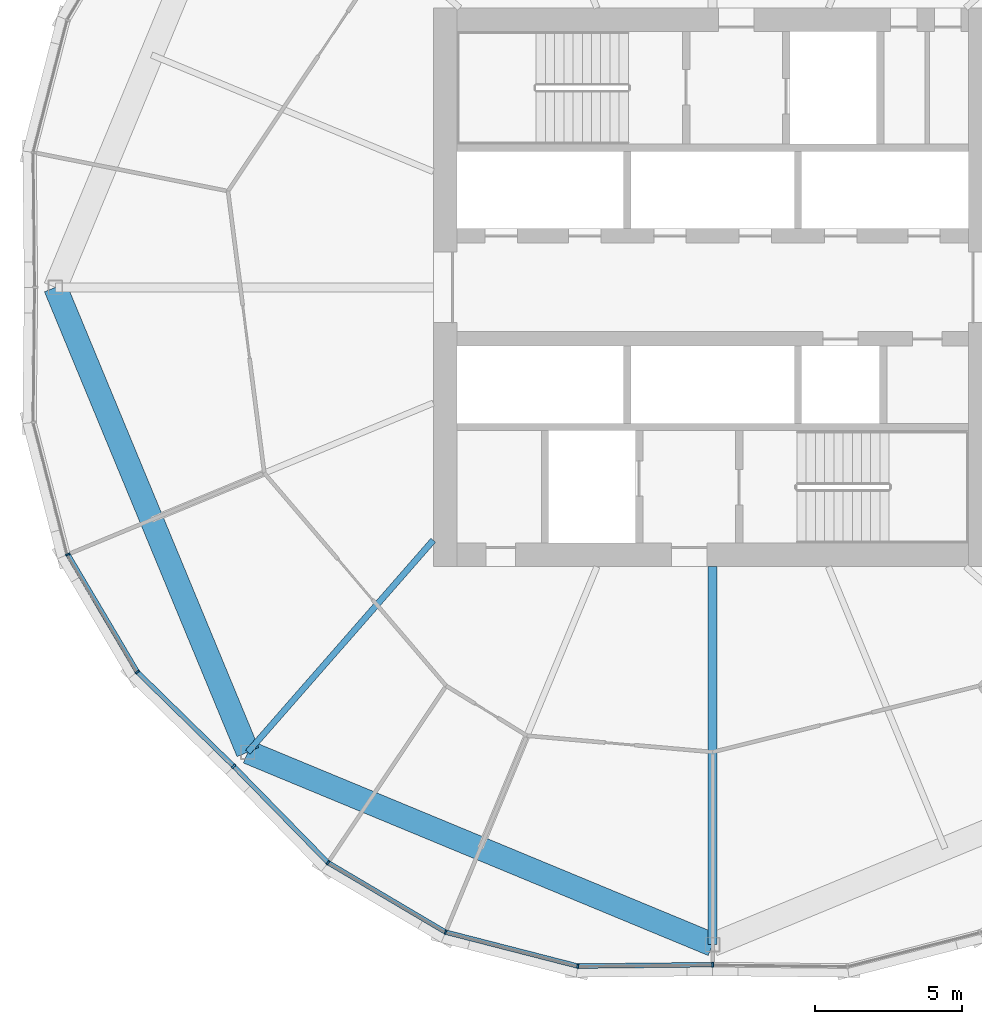
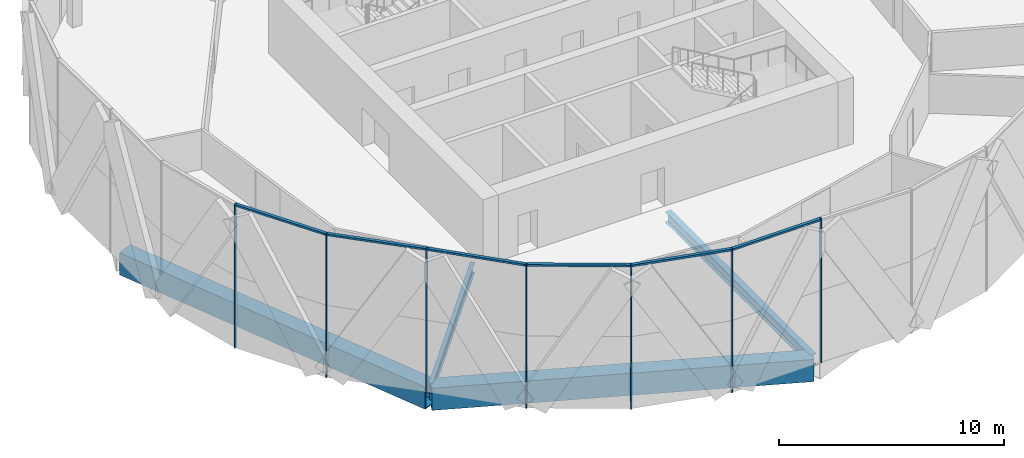
# One storey, part 3 of 27: 13 members, 4 beams, 2 elements without a shape of their own.
"""IFC4 building model written with IfcOpenShell, lengths in metres."""

from ifc_helpers import new_model, si_unit, direction, frame, origin, origin_2d, place, context, subcontext, project, spatial, rectangle, hollow_rectangle, i_section, extrude, material, material_profile, profile_set, type_object, element, aggregate, save


model = new_model("IFC4")

# Units and contexts
model_context = context("Model", 3, precision=1e-05, world=origin(), true_north=direction((0.0, 1.0)))
body_context = subcontext(model_context, "Body", "Model", "MODEL_VIEW")
ifc_project = project(units=[si_unit("LENGTHUNIT", "METRE"), si_unit("AREAUNIT", "SQUARE_METRE"), si_unit("VOLUMEUNIT", "CUBIC_METRE"), si_unit("PLANEANGLEUNIT", "RADIAN"), si_unit("MASSUNIT", "GRAM", prefix="KILO")], contexts=[model_context])

# Site, building, storey
site_placement = place(None, origin())
site = spatial("IfcSite", under=ifc_project, at=site_placement, CompositionType="ELEMENT")
building_placement = place(site_placement, origin())
building = spatial("IfcBuilding", under=site, at=building_placement, Name="Ogive Gate Towers", CompositionType="ELEMENT")
storey_placement = place(building_placement, frame((0.0, 0.0, 123.0)))
storey = spatial("IfcBuildingStorey", under=building, at=storey_placement, Name="L29", CompositionType="ELEMENT", Elevation=123.0)

# Beams
ifc_material_1 = material(Name="Steel SM460", Category="steel")
ifc_material_profile_1 = material_profile(ifc_material_1, hollow_rectangle(XDim=0.800048828125, YDim=1.199951171875, WallThickness=0.050048828125, at=origin_2d()), Name="BX 1200x800x50")
ifc_profile_set_1 = profile_set([ifc_material_profile_1], Name="Steel SM460")
beam_type_1 = type_object("IfcBeamType", Name="Edge girder BX 1200x800x50", PredefinedType="BEAM", material=ifc_profile_set_1)
for number, where, z_axis, x_axis, name in (
    (1, (-51.803955078125, -15.803955078125, -0.89990234375), (0.923880978344, -0.382679941797, 0.0), (0.382679941797, 0.923880978344, 0.0), "T1/L29/SBM017"),
    (2, (-58.35009765625, 0.0, -0.89990234375), (0.382679941797, -0.923880978344, 0.0), (0.923880978344, 0.382679941797, 0.0), "T1/L29/SBM024"),
):
    element("IfcBeam", number, at=place(storey_placement, frame(where, z_axis=z_axis, x_axis=x_axis)), inside=storey, type_object=beam_type_1, Name=name, PredefinedType="BEAM", context=body_context, shape_type="SweptSolid", body=[
        extrude(hollow_rectangle(XDim=0.800048828125, YDim=1.199951171875, WallThickness=0.050048828125, at=origin_2d()), origin(), (0.0, 0.0, 1.0), 17.10595703125),
    ])
ifc_material_2 = material(Name="Steel SM355", Category="steel")
ifc_material_profile_2 = material_profile(ifc_material_2, i_section(OverallWidth=0.300048828125, OverallDepth=0.590087890625, WebThickness=0.012939453125, FlangeThickness=0.02490234375, FilletRadius=0.027099609375, at=origin_2d()), Name="HE 600 A")
ifc_profile_set_2 = profile_set([ifc_material_profile_2], Name="Steel SM355")
beam_type_2 = type_object("IfcBeamType", Name="Radial floor beam HE 600 A", PredefinedType="BEAM", material=ifc_profile_set_2)
beam_1_placement = place(storey_placement, frame((-36.0, -9.5, -0.594970703125), z_axis=(0.0, -1.0, 0.0), x_axis=(1.0, 0.0, 0.0)))
element("IfcBeam", 3, at=beam_1_placement, inside=storey, type_object=beam_type_2, Name="T1/L29/SBM003", PredefinedType="BEAM", context=body_context, shape_type="SweptSolid", body=[
    extrude(i_section(OverallWidth=0.300048828125, OverallDepth=0.590087890625, WebThickness=0.012939453125, FlangeThickness=0.02490234375, FilletRadius=0.027099609375, at=origin_2d()), origin(), (0.0, 0.0, 1.0), 12.85009765625),
])
ifc_material_profile_3 = material_profile(ifc_material_2, i_section(OverallWidth=0.2099609375, OverallDepth=0.550048828125, WebThickness=0.010986328125, FlangeThickness=0.01708984375, FilletRadius=0.02392578125, at=origin_2d()), Name="IPE 550")
ifc_profile_set_3 = profile_set([ifc_material_profile_3], Name="Steel SM355")
beam_type_3 = type_object("IfcBeamType", Name="Radial floor beam IPE 550", PredefinedType="BEAM", material=ifc_profile_set_3)
beam_2_placement = place(storey_placement, frame((-45.5, -8.60009765625, -0.574951171875), z_axis=(-0.658538913457, -0.752546675937, 0.0), x_axis=(0.752546675937, -0.658538913457, 0.0)))
element("IfcBeam", 4, at=beam_2_placement, inside=storey, type_object=beam_type_3, Name="T1/L29/SBM001", PredefinedType="BEAM", context=body_context, shape_type="SweptSolid", body=[
    extrude(i_section(OverallWidth=0.2099609375, OverallDepth=0.550048828125, WebThickness=0.010986328125, FlangeThickness=0.01708984375, FilletRadius=0.02392578125, at=origin_2d()), origin(), (0.0, 0.0, 1.0), 9.57275390625),
])

# Curtain wall, members
ifc_material_3 = material(Name="Pale metal aluminium", Category="aluminium")
curtain_wall_type = type_object("IfcCurtainWallType", Name="Tower unitised wall, low zone", PredefinedType="NOTDEFINED", material=ifc_material_3)
curtain_wall_1_placement = place(storey_placement, origin())
curtain_wall_1 = element("IfcCurtainWall", 5, at=curtain_wall_1_placement, inside=storey, type_object=curtain_wall_type, Name="CW1 T1 ECW05", PredefinedType="NOTDEFINED")
ifc_material_profile_4 = material_profile(ifc_material_3, rectangle(XDim=0.159912109375, YDim=0.06005859375, at=origin_2d()), Name="60 x 160 aluminium box")
ifc_profile_set_4 = profile_set([ifc_material_profile_4], Name="Pale metal aluminium")
member_type_1 = type_object("IfcMemberType", Name="Tower unitised wall, low zone mullion 60 x 160", PredefinedType="MULLION", material=ifc_profile_set_4)
member_1_placement = place(storey_placement, frame((-57.924560546875, -9.081298828125, -0.300048828125), z_axis=(0.0, 0.0, 1.0), x_axis=(-0.923879532511, -0.382683432365, 0.0)))
member_1 = element("IfcMember", 6, at=member_1_placement, type_object=member_type_1, Name="CW1 mullion", PredefinedType="MULLION", context=body_context, shape_type="SweptSolid", body=[
    extrude(rectangle(XDim=0.159912109375, YDim=0.06005859375, at=origin_2d()), origin(), (0.0, 0.0, 1.0), 7.800048828125),
])
member_2_placement = place(storey_placement, frame((-55.5615234375, -13.078125, -0.300048828125), z_axis=(0.0, 0.0, 1.0), x_axis=(-0.786859630935, -0.617132012785, 0.0)))
member_2 = element("IfcMember", 7, at=member_2_placement, type_object=member_type_1, Name="CW1 mullion", PredefinedType="MULLION", context=body_context, shape_type="SweptSolid", body=[
    extrude(rectangle(XDim=0.159912109375, YDim=0.06005859375, at=origin_2d()), origin(), (0.0, 0.0, 1.0), 7.800048828125),
])
member_3_placement = place(storey_placement, frame((-52.284912109375, -16.284423828125, -0.300048828125), z_axis=(0.0, 0.0, 1.0), x_axis=(-0.699426373935, -0.714704657494, 0.0)))
member_3 = element("IfcMember", 8, at=member_3_placement, type_object=member_type_1, Name="CW1 mullion", PredefinedType="MULLION", context=body_context, shape_type="SweptSolid", body=[
    extrude(rectangle(XDim=0.159912109375, YDim=0.06005859375, at=origin_2d()), origin(), (0.0, 0.0, 1.0), 7.800048828125),
])

curtain_wall_2_placement = place(storey_placement, origin())
curtain_wall_2 = element("IfcCurtainWall", 9, at=curtain_wall_2_placement, inside=storey, type_object=curtain_wall_type, Name="CW1 T1 ECW06", PredefinedType="NOTDEFINED")
member_4_placement = place(storey_placement, frame((-49.078125, -19.5615234375, -0.300048828125), z_axis=(0.0, 0.0, 1.0), x_axis=(-0.617132012785, -0.786859630935, 0.0)))
member_4 = element("IfcMember", 10, at=member_4_placement, type_object=member_type_1, Name="CW1 mullion", PredefinedType="MULLION", context=body_context, shape_type="SweptSolid", body=[
    extrude(rectangle(XDim=0.159912109375, YDim=0.06005859375, at=origin_2d()), origin(), (0.0, 0.0, 1.0), 7.800048828125),
])
member_5_placement = place(storey_placement, frame((-45.081298828125, -21.924560546875, -0.300048828125), z_axis=(0.0, 0.0, 1.0), x_axis=(-0.382683432365, -0.923879532511, 0.0)))
member_5 = element("IfcMember", 11, at=member_5_placement, type_object=member_type_1, Name="CW1 mullion", PredefinedType="MULLION", context=body_context, shape_type="SweptSolid", body=[
    extrude(rectangle(XDim=0.159912109375, YDim=0.06005859375, at=origin_2d()), origin(), (0.0, 0.0, 1.0), 7.800048828125),
])
member_6_placement = place(storey_placement, frame((-40.584716796875, -23.07958984375, -0.300048828125), z_axis=(0.0, 0.0, 1.0), x_axis=(-0.12003287687, -0.992769917186, 0.0)))
member_6 = element("IfcMember", 12, at=member_6_placement, type_object=member_type_1, Name="CW1 mullion", PredefinedType="MULLION", context=body_context, shape_type="SweptSolid", body=[
    extrude(rectangle(XDim=0.159912109375, YDim=0.06005859375, at=origin_2d()), origin(), (0.0, 0.0, 1.0), 7.800048828125),
])
member_7_placement = place(storey_placement, frame((-36.000244140625, -23.030029296875, -0.300048828125), z_axis=(0.0, 0.0, 1.0), x_axis=(0.010820830182, -0.999941453103, 0.0)))
member_7 = element("IfcMember", 13, at=member_7_placement, type_object=member_type_1, Name="CW1 mullion", PredefinedType="MULLION", context=body_context, shape_type="SweptSolid", body=[
    extrude(rectangle(XDim=0.159912109375, YDim=0.06005859375, at=origin_2d()), origin(), (0.0, 0.0, 1.0), 7.800048828125),
])

# Member
ifc_material_profile_5 = material_profile(ifc_material_3, rectangle(XDim=0.159912109375, YDim=0.10009765625, at=origin_2d()), Name="100 x 160 aluminium box")
ifc_profile_set_5 = profile_set([ifc_material_profile_5], Name="Pale metal aluminium")
member_type_2 = type_object("IfcMemberType", Name="Tower unitised wall, low zone transom 100 x 160", PredefinedType="USERDEFINED", material=ifc_profile_set_5)
member_8_placement = place(storey_placement, frame((-57.91064453125, -9.104736328125, 7.449951171875), z_axis=(0.508937241456, -0.860803627002, 0.0), x_axis=(0.860803627002, 0.508937241456, 0.0)))
member_8 = element("IfcMember", 14, at=member_8_placement, type_object=member_type_2, Name="CW1 transom", ObjectType="TRANSOM", PredefinedType="USERDEFINED", context=body_context, shape_type="SweptSolid", body=[
    extrude(rectangle(XDim=0.159912109375, YDim=0.10009765625, at=origin_2d()), origin(), (0.0, 0.0, 1.0), 4.58837890625),
])

member_9_placement = place(storey_placement, frame((-55.5419921875, -13.09716796875, 7.449951171875), z_axis=(0.714723254105, -0.699407370594, 0.0), x_axis=(0.699407370594, 0.714723254105, 0.0)))
member_9 = element("IfcMember", 15, at=member_9_placement, type_object=member_type_2, Name="CW1 transom", ObjectType="TRANSOM", PredefinedType="USERDEFINED", context=body_context, shape_type="SweptSolid", body=[
    extrude(rectangle(XDim=0.159912109375, YDim=0.10009765625, at=origin_2d()), origin(), (0.0, 0.0, 1.0), 4.527099609375),
])

aggregate(curtain_wall_1, [member_1, member_2, member_8, member_3, member_9])

member_10_placement = place(storey_placement, frame((-52.263427734375, -16.306396484375, 7.449951171875), z_axis=(0.699407370594, -0.714723254105, 0.0), x_axis=(0.714723254105, 0.699407370594, 0.0)))
member_10 = element("IfcMember", 16, at=member_10_placement, type_object=member_type_2, Name="CW1 transom", ObjectType="TRANSOM", PredefinedType="USERDEFINED", context=body_context, shape_type="SweptSolid", body=[
    extrude(rectangle(XDim=0.159912109375, YDim=0.10009765625, at=origin_2d()), origin(), (0.0, 0.0, 1.0), 4.527099609375),
])

member_11_placement = place(storey_placement, frame((-49.054443359375, -19.575439453125, 7.449951171875), z_axis=(0.860803627002, -0.508937241456, 0.0), x_axis=(0.508937241456, 0.860803627002, 0.0)))
member_11 = element("IfcMember", 17, at=member_11_placement, type_object=member_type_2, Name="CW1 transom", ObjectType="TRANSOM", PredefinedType="USERDEFINED", context=body_context, shape_type="SweptSolid", body=[
    extrude(rectangle(XDim=0.159912109375, YDim=0.10009765625, at=origin_2d()), origin(), (0.0, 0.0, 1.0), 4.58837890625),
])

member_12_placement = place(storey_placement, frame((-45.05517578125, -21.93115234375, 7.449951171875), z_axis=(0.968554137899, -0.248802897809, 0.0), x_axis=(0.248802897809, 0.968554137899, 0.0)))
member_12 = element("IfcMember", 18, at=member_12_placement, type_object=member_type_2, Name="CW1 transom", ObjectType="TRANSOM", PredefinedType="USERDEFINED", context=body_context, shape_type="SweptSolid", body=[
    extrude(rectangle(XDim=0.159912109375, YDim=0.10009765625, at=origin_2d()), origin(), (0.0, 0.0, 1.0), 4.58837890625),
])

member_13_placement = place(storey_placement, frame((-40.55712890625, -23.079345703125, 7.449951171875), z_axis=(0.999941249618, 0.010839617688, 0.0), x_axis=(-0.010839617688, 0.999941249618, 0.0)))
member_13 = element("IfcMember", 19, at=member_13_placement, type_object=member_type_2, Name="CW1 transom", ObjectType="TRANSOM", PredefinedType="USERDEFINED", context=body_context, shape_type="SweptSolid", body=[
    extrude(rectangle(XDim=0.159912109375, YDim=0.10009765625, at=origin_2d()), origin(), (0.0, 0.0, 1.0), 4.527099609375),
])

aggregate(curtain_wall_2, [member_4, member_10, member_5, member_11, member_6, member_12, member_7, member_13])

save(model, "model.ifc")
